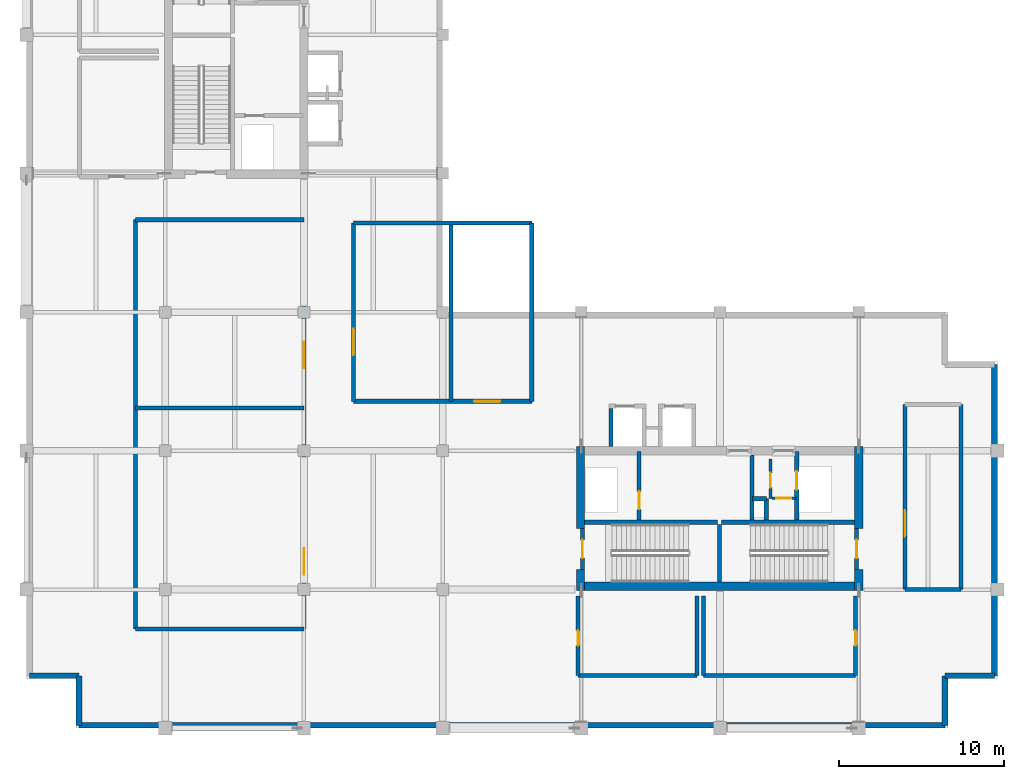
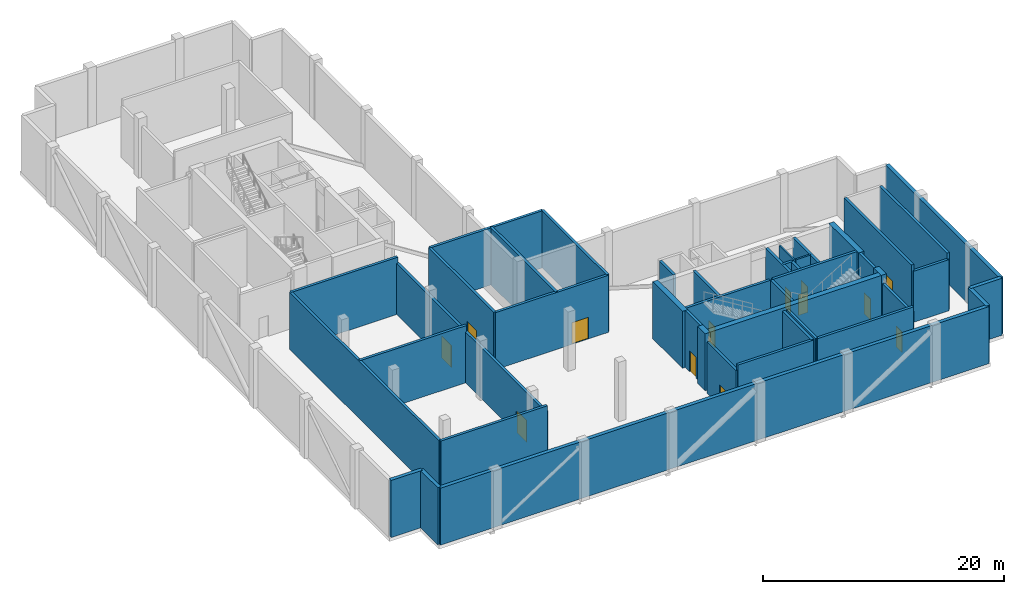
# One storey, part 9 of 14: 43 walls, 13 doors, 13 openings.
"""IFC4 building model written with IfcOpenShell, lengths in metres."""

from ifc_helpers import new_model, si_unit, direction, frame, frame_2d, origin, place, context, subcontext, project, spatial, rectangle, extrude, material, layer, layer_set, type_object, element, fill, save


model = new_model("IFC4")

# Units and contexts
model_context = context("Model", 3, precision=1e-05, world=origin(), true_north=direction((0.0, 1.0)))
body_context = subcontext(model_context, "Body", "Model", "MODEL_VIEW")
ifc_project = project(units=[si_unit("LENGTHUNIT", "METRE"), si_unit("AREAUNIT", "SQUARE_METRE"), si_unit("VOLUMEUNIT", "CUBIC_METRE"), si_unit("PLANEANGLEUNIT", "RADIAN"), si_unit("MASSUNIT", "GRAM", prefix="KILO")], contexts=[model_context])

# Site, building, storey
site_placement = place(None, origin())
site = spatial("IfcSite", under=ifc_project, at=site_placement, CompositionType="ELEMENT")
building_placement = place(site_placement, origin())
building = spatial("IfcBuilding", under=site, at=building_placement, Name="Koriwani Terraces Tower", CompositionType="ELEMENT")
storey_placement = place(building_placement, frame((0.0, 0.0, 294.800048828125)))
storey = spatial("IfcBuildingStorey", under=building, at=storey_placement, Name="L73", CompositionType="ELEMENT", Elevation=294.800048828125)

# Walls
ifc_material_1 = material(Name="Concrete C50/60", Category="concrete")
ifc_layer_1 = layer(ifc_material_1, 0.5, Name="Concrete C50/60")
ifc_layer_set_1 = layer_set([ifc_layer_1], Name="Concrete C50/60")
wall_type_1 = type_object("IfcWallType", Name="WALL_CORE_RC_500", PredefinedType="SHEAR", material=ifc_layer_set_1)
wall_1_placement = place(storey_placement, frame((41.949951171875, 16.75, 0.0), z_axis=(0.0, 0.0, 1.0), x_axis=(0.0, 1.0, 0.0)))
element("IfcWall", 1, at=wall_1_placement, inside=storey, type_object=wall_type_1, Name="L73 East Split Core Shear Wall W1", PredefinedType="SHEAR", context=body_context, shape_type="SweptSolid", body=[
    extrude(rectangle(XDim=1.25, YDim=0.5, at=frame_2d((0.625, 0.0))), origin(), (0.0, 0.0, 1.0), 5.77001953125),
])
wall_2_placement = place(storey_placement, frame((41.949951171875, 20.5, 0.0), z_axis=(0.0, 0.0, 1.0), x_axis=(0.0, 1.0, 0.0)))
element("IfcWall", 2, at=wall_2_placement, inside=storey, type_object=wall_type_1, Name="L73 East Split Core Shear Wall W2", PredefinedType="SHEAR", context=body_context, shape_type="SweptSolid", body=[
    extrude(rectangle(XDim=4.949951171875, YDim=0.5, at=frame_2d((2.47509765625, 0.0))), origin(), (0.0, 0.0, 1.0), 5.77001953125),
])
wall_3_placement = place(storey_placement, frame((58.800048828125, 16.75, 0.0), z_axis=(0.0, 0.0, 1.0), x_axis=(0.0, 1.0, 0.0)))
element("IfcWall", 3, at=wall_3_placement, inside=storey, type_object=wall_type_1, Name="L73 East Split Core Shear Wall E1", PredefinedType="SHEAR", context=body_context, shape_type="SweptSolid", body=[
    extrude(rectangle(XDim=1.25, YDim=0.5, at=frame_2d((0.625, 0.0))), origin(), (0.0, 0.0, 1.0), 5.77001953125),
])
wall_4_placement = place(storey_placement, frame((58.800048828125, 20.5, 0.0), z_axis=(0.0, 0.0, 1.0), x_axis=(0.0, 1.0, 0.0)))
element("IfcWall", 4, at=wall_4_placement, inside=storey, type_object=wall_type_1, Name="L73 East Split Core Shear Wall E2", PredefinedType="SHEAR", context=body_context, shape_type="SweptSolid", body=[
    extrude(rectangle(XDim=4.949951171875, YDim=0.5, at=frame_2d((2.47509765625, 0.0))), origin(), (0.0, 0.0, 1.0), 5.77001953125),
])
wall_5_placement = place(storey_placement, frame((42.199951171875, 17.0, 0.0), z_axis=(0.0, 0.0, 1.0), x_axis=(1.0, 0.0, 0.0)))
element("IfcWall", 5, at=wall_5_placement, inside=storey, type_object=wall_type_1, Name="L73 East Split Core Shear Wall S1", PredefinedType="SHEAR", context=body_context, shape_type="SweptSolid", body=[
    extrude(rectangle(XDim=16.35009765625, YDim=0.5, at=frame_2d((8.175048828125, 0.0))), origin(), (0.0, 0.0, 1.0), 5.77001953125),
])
ifc_layer_2 = layer(ifc_material_1, 0.35009765625, Name="Concrete C50/60")
ifc_layer_set_2 = layer_set([ifc_layer_2], Name="Concrete C50/60")
wall_type_2 = type_object("IfcWallType", Name="WALL_EXT_BRUTALIST_350", PredefinedType="STANDARD", material=ifc_layer_set_2)
for number, where, z_axis, x_axis, name in (
    (6, (11.574951171875, 8.574951171875, 0.0), (0.0, 0.0, 1.0), (0.0, 1.0, 0.0), "L73 Fair-Faced Brutalist Exterior Wall (N0)"),
    (7, (11.574951171875, 11.574951171875, 0.0), (0.0, 0.0, 1.0), (-1.0, 0.0, 0.0), "L73 Fair-Faced Brutalist Exterior Wall (N1)"),
):
    element("IfcWall", number, at=place(storey_placement, frame(where, z_axis=z_axis, x_axis=x_axis)), inside=storey, type_object=wall_type_2, Name=name, PredefinedType="STANDARD", context=body_context, shape_type="SweptSolid", body=[
        extrude(rectangle(XDim=3.0, YDim=0.35009765625, at=frame_2d((1.5, 0.0))), origin(), (0.0, 0.0, 1.0), 5.77001953125),
    ])
wall_6_placement = place(storey_placement, frame((67.02490234375, 30.425048828125, 0.0), z_axis=(0.0, 0.0, 1.0), x_axis=(0.0, -1.0, 0.0)))
element("IfcWall", 8, at=wall_6_placement, inside=storey, type_object=wall_type_2, Name="L73 Fair-Faced Brutalist Exterior Wall (E_TIP)", PredefinedType="STANDARD", context=body_context, shape_type="SweptSolid", body=[
    extrude(rectangle(XDim=18.85009765625, YDim=0.35009765625, at=frame_2d((9.425048828125, 0.0))), origin(), (0.0, 0.0, 1.0), 5.77001953125),
])
for number, where, z_axis, x_axis, name in (
    (9, (67.02490234375, 11.574951171875, 0.0), (0.0, 0.0, 1.0), (-1.0, 0.0, 0.0), "L73 Fair-Faced Brutalist Exterior Wall (N13)"),
    (10, (64.02490234375, 11.574951171875, 0.0), (0.0, 0.0, 1.0), (0.0, -1.0, 0.0), "L73 Fair-Faced Brutalist Exterior Wall (N14)"),
):
    element("IfcWall", number, at=place(storey_placement, frame(where, z_axis=z_axis, x_axis=x_axis)), inside=storey, type_object=wall_type_2, Name=name, PredefinedType="STANDARD", context=body_context, shape_type="SweptSolid", body=[
        extrude(rectangle(XDim=3.0, YDim=0.35009765625, at=frame_2d((1.5, 0.0))), origin(), (0.0, 0.0, 1.0), 5.77001953125),
    ])
wall_7_placement = place(storey_placement, frame((64.02490234375, 8.574951171875, 0.0), z_axis=(0.0, 0.0, 1.0), x_axis=(-1.0, 0.0, 0.0)))
element("IfcWall", 11, at=wall_7_placement, inside=storey, type_object=wall_type_2, Name="L73 Fair-Faced Brutalist Exterior Wall (S)", PredefinedType="STANDARD", context=body_context, shape_type="SweptSolid", body=[
    extrude(rectangle(XDim=52.449951171875, YDim=0.35009765625, at=frame_2d((26.22509765625, 0.0))), origin(), (0.0, 0.0, 1.0), 5.77001953125),
])
ifc_material_2 = material(Name="Concrete C40/50", Category="concrete")
ifc_layer_3 = layer(ifc_material_2, 0.25, Name="Concrete C40/50")
ifc_layer_set_3 = layer_set([ifc_layer_3], Name="Concrete C40/50")
wall_type_3 = type_object("IfcWallType", Name="WALL_SHAFT_RATED_250", PredefinedType="SOLIDWALL", material=ifc_layer_set_3)
for number, where, z_axis, x_axis, name in (
    (12, (42.199951171875, 20.875, 0.0), (0.0, 0.0, 1.0), (1.0, 0.0, 0.0), "L73 East Split Core Web Wall MID1"),
    (13, (50.5, 20.875, 0.0), (0.0, 0.0, 1.0), (1.0, 0.0, 0.0), "L73 East Split Core Web Wall MID2"),
):
    element("IfcWall", number, at=place(storey_placement, frame(where, z_axis=z_axis, x_axis=x_axis)), inside=storey, type_object=wall_type_3, Name=name, PredefinedType="SOLIDWALL", context=body_context, shape_type="SweptSolid", body=[
        extrude(rectangle(XDim=8.050048828125, YDim=0.25, at=frame_2d((4.02490234375, 0.0))), origin(), (0.0, 0.0, 1.0), 5.77001953125),
    ])
wall_8_placement = place(storey_placement, frame((50.375, 17.25, 0.0), z_axis=(0.0, 0.0, 1.0), x_axis=(0.0, 1.0, 0.0)))
element("IfcWall", 14, at=wall_8_placement, inside=storey, type_object=wall_type_3, Name="L73 East Split Core Stair Dividing Wall", PredefinedType="SOLIDWALL", context=body_context, shape_type="SweptSolid", body=[
    extrude(rectangle(XDim=3.5, YDim=0.25, at=frame_2d((1.75, 0.0))), origin(), (0.0, 0.0, 1.0), 5.77001953125),
])

# Wall, opening, door
wall_9_placement = place(storey_placement, frame((42.074951171875, 18.0, 0.0), z_axis=(0.0, 0.0, 1.0), x_axis=(0.0, 1.0, 0.0)))
wall_9 = element("IfcWall", 15, at=wall_9_placement, inside=storey, type_object=wall_type_3, Name="L73 Interior Wall WIN-CE-L73-STW", PredefinedType="SOLIDWALL", context=body_context, shape_type="SweptSolid", body=[
    extrude(rectangle(XDim=2.5, YDim=0.25, at=frame_2d((1.25, 0.0))), origin(), (0.0, 0.0, 1.0), 5.77001953125),
])
opening_1_placement = place(wall_9_placement, frame((0.699951171875, 0.0, 0.0)))
opening_1 = element("IfcOpeningElement", 16, at=opening_1_placement, cuts=wall_9, Name="Opening D-03", PredefinedType="OPENING", context=body_context, shape_type="SweptSolid", body=[
    extrude(rectangle(XDim=1.10009765625, YDim=2.14990234375, at=frame_2d((0.550048828125, 1.074951171875))), frame((0.0, 0.135009765625, 0.0), z_axis=(0.0, -1.0, 0.0), x_axis=(1.0, 0.0, 0.0)), (0.0, 0.0, 1.0), 0.27001953125),
])
ifc_material_3 = material(Name="Steel ASTM A572 Grade 50", Category="steel")
door_type_1 = type_object("IfcDoorType", Name="DOOR_STAIR_FIRE_1100X2150", OperationType="NOTDEFINED", PredefinedType="DOOR", material=ifc_material_3)
door_1_placement = place(opening_1_placement, origin())
door_1 = element("IfcDoor", 17, at=door_1_placement, inside=storey, type_object=door_type_1, Name="L73 Exit Stair ST-E1 Door", OperationType="SINGLE_SWING_LEFT", OverallHeight=2.14990234375, OverallWidth=1.10009765625, PredefinedType="DOOR", context=body_context, shape_type="SweptSolid", body=[
    extrude(rectangle(XDim=1.10009765625, YDim=2.14990234375, at=frame_2d((0.550048828125, 1.074951171875))), frame((0.0, 0.02490234375, 0.0), z_axis=(0.0, -1.0, 0.0), x_axis=(1.0, 0.0, 0.0)), (0.0, 0.0, 1.0), 0.050048828125),
])
fill(opening_1, door_1)

wall_10_placement = place(storey_placement, frame((58.675048828125, 18.0, 0.0), z_axis=(0.0, 0.0, 1.0), x_axis=(0.0, 1.0, 0.0)))
wall_10 = element("IfcWall", 18, at=wall_10_placement, inside=storey, type_object=wall_type_3, Name="L73 Interior Wall WIN-CE-L73-STE", PredefinedType="SOLIDWALL", context=body_context, shape_type="SweptSolid", body=[
    extrude(rectangle(XDim=2.5, YDim=0.25, at=frame_2d((1.25, 0.0))), origin(), (0.0, 0.0, 1.0), 5.77001953125),
])
opening_2_placement = place(wall_10_placement, frame((0.699951171875, 0.0, 0.0)))
opening_2 = element("IfcOpeningElement", 19, at=opening_2_placement, cuts=wall_10, Name="Opening D-03", PredefinedType="OPENING", context=body_context, shape_type="SweptSolid", body=[
    extrude(rectangle(XDim=1.10009765625, YDim=2.14990234375, at=frame_2d((0.550048828125, 1.074951171875))), frame((0.0, 0.135009765625, 0.0), z_axis=(0.0, -1.0, 0.0), x_axis=(1.0, 0.0, 0.0)), (0.0, 0.0, 1.0), 0.27001953125),
])
door_2_placement = place(opening_2_placement, origin())
door_2 = element("IfcDoor", 20, at=door_2_placement, inside=storey, type_object=door_type_1, Name="L73 Exit Stair ST-E2 Door", OperationType="SINGLE_SWING_RIGHT", OverallHeight=2.14990234375, OverallWidth=1.10009765625, PredefinedType="DOOR", context=body_context, shape_type="SweptSolid", body=[
    extrude(rectangle(XDim=1.10009765625, YDim=2.14990234375, at=frame_2d((0.550048828125, 1.074951171875))), frame((0.0, 0.02490234375, 0.0), z_axis=(0.0, -1.0, 0.0), x_axis=(1.0, 0.0, 0.0)), (0.0, 0.0, 1.0), 0.050048828125),
])
fill(opening_2, door_2)

wall_11_placement = place(storey_placement, frame((45.5, 21.0, 0.0), z_axis=(0.0, 0.0, 1.0), x_axis=(0.0, 1.0, 0.0)))
wall_11 = element("IfcWall", 21, at=wall_11_placement, inside=storey, type_object=wall_type_3, Name="L73 Interior Wall WIN-CE-L73-FE", PredefinedType="SOLIDWALL", context=body_context, shape_type="SweptSolid", body=[
    extrude(rectangle(XDim=4.14990234375, YDim=0.25, at=frame_2d((2.074951171875, 0.0))), origin(), (0.0, 0.0, 1.0), 5.77001953125),
])
opening_3_placement = place(wall_11_placement, frame((0.64990234375, 0.0, 0.0)))
opening_3 = element("IfcOpeningElement", 22, at=opening_3_placement, cuts=wall_11, Name="Opening LD-01", PredefinedType="OPENING", context=body_context, shape_type="SweptSolid", body=[
    extrude(rectangle(XDim=1.10009765625, YDim=2.14990234375, at=frame_2d((0.550048828125, 1.074951171875))), frame((0.0, 0.135009765625, 0.0), z_axis=(0.0, -1.0, 0.0), x_axis=(1.0, 0.0, 0.0)), (0.0, 0.0, 1.0), 0.27001953125),
])
door_type_2 = type_object("IfcDoorType", Name="DOOR_LIFT_LANDING_1100X2200", OperationType="NOTDEFINED", PredefinedType="DOOR", material=ifc_material_3)
door_3_placement = place(opening_3_placement, origin())
door_3 = element("IfcDoor", 23, at=door_3_placement, inside=storey, type_object=door_type_2, Name="L73 Firefighting Lift FE-02 Landing Door", OperationType="SLIDING_TO_LEFT", OverallHeight=2.14990234375, OverallWidth=1.10009765625, PredefinedType="DOOR", context=body_context, shape_type="SweptSolid", body=[
    extrude(rectangle(XDim=1.10009765625, YDim=2.14990234375, at=frame_2d((0.550048828125, 1.074951171875))), frame((0.0, 0.02490234375, 0.0), z_axis=(0.0, -1.0, 0.0), x_axis=(1.0, 0.0, 0.0)), (0.0, 0.0, 1.0), 0.050048828125),
])
fill(opening_3, door_3)

# Wall
wall_12_placement = place(storey_placement, frame((52.340087890625, 21.0, 0.0), z_axis=(0.0, 0.0, 1.0), x_axis=(0.0, 1.0, 0.0)))
element("IfcWall", 24, at=wall_12_placement, inside=storey, type_object=wall_type_3, Name="L73 Interior Wall WIN-CE-L73-FFE", PredefinedType="SOLIDWALL", context=body_context, shape_type="SweptSolid", body=[
    extrude(rectangle(XDim=3.949951171875, YDim=0.25, at=frame_2d((1.97509765625, 0.0))), origin(), (0.0, 0.0, 1.0), 5.77001953125),
])

# Wall, opening, door
wall_13_placement = place(storey_placement, frame((55.050048828125, 21.0, 0.0), z_axis=(0.0, 0.0, 1.0), x_axis=(0.0, 1.0, 0.0)))
wall_13 = element("IfcWall", 25, at=wall_13_placement, inside=storey, type_object=wall_type_3, Name="L73 Interior Wall WIN-CE-L73-SE", PredefinedType="SOLIDWALL", context=body_context, shape_type="SweptSolid", body=[
    extrude(rectangle(XDim=4.14990234375, YDim=0.25, at=frame_2d((2.074951171875, 0.0))), origin(), (0.0, 0.0, 1.0), 5.77001953125),
])
opening_4_placement = place(wall_13_placement, frame((1.85009765625, 0.0, 0.0)))
opening_4 = element("IfcOpeningElement", 26, at=opening_4_placement, cuts=wall_13, Name="Opening LD-01", PredefinedType="OPENING", context=body_context, shape_type="SweptSolid", body=[
    extrude(rectangle(XDim=1.10009765625, YDim=2.14990234375, at=frame_2d((0.550048828125, 1.074951171875))), frame((0.0, 0.135009765625, 0.0), z_axis=(0.0, -1.0, 0.0), x_axis=(1.0, 0.0, 0.0)), (0.0, 0.0, 1.0), 0.27001953125),
])
door_4_placement = place(opening_4_placement, origin())
door_4 = element("IfcDoor", 27, at=door_4_placement, inside=storey, type_object=door_type_2, Name="L73 Goods Lift SE-02 Landing Door", OperationType="SLIDING_TO_LEFT", OverallHeight=2.14990234375, OverallWidth=1.10009765625, PredefinedType="DOOR", context=body_context, shape_type="SweptSolid", body=[
    extrude(rectangle(XDim=1.10009765625, YDim=2.14990234375, at=frame_2d((0.550048828125, 1.074951171875))), frame((0.0, 0.02490234375, 0.0), z_axis=(0.0, -1.0, 0.0), x_axis=(1.0, 0.0, 0.0)), (0.0, 0.0, 1.0), 0.050048828125),
])
fill(opening_4, door_4)

# Walls
wall_14_placement = place(storey_placement, frame((53.199951171875, 21.0, 0.0), z_axis=(0.0, 0.0, 1.0), x_axis=(0.0, 1.0, 0.0)))
element("IfcWall", 28, at=wall_14_placement, inside=storey, type_object=wall_type_3, Name="L73 Interior Wall WIN-CE-L73-RS1", PredefinedType="SOLIDWALL", context=body_context, shape_type="SweptSolid", body=[
    extrude(rectangle(XDim=1.300048828125, YDim=0.25, at=frame_2d((0.64990234375, 0.0))), origin(), (0.0, 0.0, 1.0), 5.77001953125),
])
wall_15_placement = place(storey_placement, frame((52.360107421875, 22.300048828125, 0.0), z_axis=(0.0, 0.0, 1.0), x_axis=(1.0, 0.0, 0.0)))
element("IfcWall", 29, at=wall_15_placement, inside=storey, type_object=wall_type_3, Name="L73 Interior Wall WIN-CE-L73-RS2", PredefinedType="SOLIDWALL", context=body_context, shape_type="SweptSolid", body=[
    extrude(rectangle(XDim=0.83984375, YDim=0.25, at=frame_2d((0.419921875, 0.0))), origin(), (0.0, 0.0, 1.0), 5.77001953125),
])
wall_16_placement = place(storey_placement, frame((43.800048828125, 25.449951171875, 0.0), z_axis=(0.0, 0.0, 1.0), x_axis=(0.0, 1.0, 0.0)))
element("IfcWall", 30, at=wall_16_placement, inside=storey, type_object=wall_type_3, Name="L73 Interior Wall WIN-LF-PE-H3-L73-W", PredefinedType="SOLIDWALL", context=body_context, shape_type="SweptSolid", body=[
    extrude(rectangle(XDim=2.324951171875, YDim=0.25, at=frame_2d((1.16259765625, 0.0))), origin(), (0.0, 0.0, 1.0), 5.77001953125),
])

# Wall, opening, door
wall_17_placement = place(storey_placement, frame((61.60009765625, 16.800048828125, 0.0), z_axis=(0.0, 0.0, 1.0), x_axis=(0.0, 1.0, 0.0)))
wall_17 = element("IfcWall", 31, at=wall_17_placement, inside=storey, type_object=wall_type_3, Name="L73 Interior Wall WREF-E1-L73", PredefinedType="SOLIDWALL", context=body_context, shape_type="SweptSolid", body=[
    extrude(rectangle(XDim=11.199951171875, YDim=0.25, at=frame_2d((5.60009765625, 0.0))), origin(), (0.0, 0.0, 1.0), 5.77001953125),
])
opening_5_placement = place(wall_17_placement, frame((3.199951171875, 0.0, 0.0)))
opening_5 = element("IfcOpeningElement", 32, at=opening_5_placement, cuts=wall_17, Name="Opening D-08", PredefinedType="OPENING", context=body_context, shape_type="SweptSolid", body=[
    extrude(rectangle(XDim=1.60009765625, YDim=2.199951171875, at=frame_2d((0.800048828125, 1.10009765625))), frame((0.0, 0.135009765625, 0.0), z_axis=(0.0, -1.0, 0.0), x_axis=(1.0, 0.0, 0.0)), (0.0, 0.0, 1.0), 0.27001953125),
])
door_type_3 = type_object("IfcDoorType", Name="DOOR_PLANT_DOUBLE_1600X2200", OperationType="NOTDEFINED", PredefinedType="DOOR", material=ifc_material_3)
door_5_placement = place(opening_5_placement, origin())
door_5 = element("IfcDoor", 33, at=door_5_placement, inside=storey, type_object=door_type_3, Name="L73 East Fire Refuge Area Door", OperationType="SINGLE_SWING_RIGHT", OverallHeight=2.199951171875, OverallWidth=1.60009765625, PredefinedType="DOOR", context=body_context, shape_type="SweptSolid", body=[
    extrude(rectangle(XDim=1.60009765625, YDim=2.199951171875, at=frame_2d((0.800048828125, 1.10009765625))), frame((0.0, 0.02490234375, 0.0), z_axis=(0.0, -1.0, 0.0), x_axis=(1.0, 0.0, 0.0)), (0.0, 0.0, 1.0), 0.050048828125),
])
fill(opening_5, door_5)

# Walls
wall_18_placement = place(storey_placement, frame((65.0, 16.800048828125, 0.0), z_axis=(0.0, 0.0, 1.0), x_axis=(0.0, 1.0, 0.0)))
element("IfcWall", 34, at=wall_18_placement, inside=storey, type_object=wall_type_3, Name="L73 Interior Wall WREF-E2-L73", PredefinedType="SOLIDWALL", context=body_context, shape_type="SweptSolid", body=[
    extrude(rectangle(XDim=11.199951171875, YDim=0.25, at=frame_2d((5.60009765625, 0.0))), origin(), (0.0, 0.0, 1.0), 5.77001953125),
])
wall_19_placement = place(storey_placement, frame((61.60009765625, 16.800048828125, 0.0), z_axis=(0.0, 0.0, 1.0), x_axis=(1.0, 0.0, 0.0)))
element("IfcWall", 35, at=wall_19_placement, inside=storey, type_object=wall_type_3, Name="L73 Interior Wall WREF-E3-L73", PredefinedType="SOLIDWALL", context=body_context, shape_type="SweptSolid", body=[
    extrude(rectangle(XDim=3.39990234375, YDim=0.25, at=frame_2d((1.699951171875, 0.0))), origin(), (0.0, 0.0, 1.0), 5.169921875),
])

# Wall, openings, doors
wall_20_placement = place(storey_placement, frame((25.199951171875, 14.39990234375, 0.0), z_axis=(0.0, 0.0, 1.0), x_axis=(0.0, 1.0, 0.0)))
wall_20 = element("IfcWall", 36, at=wall_20_placement, inside=storey, type_object=wall_type_3, Name="L73 Interior Wall WPL-L73-E", PredefinedType="SOLIDWALL", context=body_context, shape_type="SweptSolid", body=[
    extrude(rectangle(XDim=24.800048828125, YDim=0.25, at=frame_2d((12.39990234375, 0.0))), origin(), (0.0, 0.0, 1.0), 5.15283203125),
])
opening_6_placement = place(wall_20_placement, frame((3.300048828125, 0.0, 0.0)))
opening_6 = element("IfcOpeningElement", 37, at=opening_6_placement, cuts=wall_20, Name="Opening D-08", PredefinedType="OPENING", context=body_context, shape_type="SweptSolid", body=[
    extrude(rectangle(XDim=1.60009765625, YDim=2.199951171875, at=frame_2d((0.800048828125, 1.10009765625))), frame((0.0, 0.135009765625, 0.0), z_axis=(0.0, -1.0, 0.0), x_axis=(1.0, 0.0, 0.0)), (0.0, 0.0, 1.0), 0.27001953125),
])
opening_7_placement = place(wall_20_placement, frame((15.800048828125, 0.0, 0.0)))
opening_7 = element("IfcOpeningElement", 38, at=opening_7_placement, cuts=wall_20, Name="Opening D-08", PredefinedType="OPENING", context=body_context, shape_type="SweptSolid", body=[
    extrude(rectangle(XDim=1.60009765625, YDim=2.199951171875, at=frame_2d((0.800048828125, 1.10009765625))), frame((0.0, 0.135009765625, 0.0), z_axis=(0.0, -1.0, 0.0), x_axis=(1.0, 0.0, 0.0)), (0.0, 0.0, 1.0), 0.27001953125),
])
door_6_placement = place(opening_6_placement, origin())
door_6 = element("IfcDoor", 39, at=door_6_placement, inside=storey, type_object=door_type_3, Name="L73 Chiller Plant Room Door", OperationType="SINGLE_SWING_LEFT", OverallHeight=2.199951171875, OverallWidth=1.60009765625, PredefinedType="DOOR", context=body_context, shape_type="SweptSolid", body=[
    extrude(rectangle(XDim=1.60009765625, YDim=2.199951171875, at=frame_2d((0.800048828125, 1.10009765625))), frame((0.0, 0.02490234375, 0.0), z_axis=(0.0, -1.0, 0.0), x_axis=(1.0, 0.0, 0.0)), (0.0, 0.0, 1.0), 0.050048828125),
])
fill(opening_6, door_6)
door_7_placement = place(opening_7_placement, origin())
door_7 = element("IfcDoor", 40, at=door_7_placement, inside=storey, type_object=door_type_3, Name="L73 AHU Fan Room Door", OperationType="SINGLE_SWING_RIGHT", OverallHeight=2.199951171875, OverallWidth=1.60009765625, PredefinedType="DOOR", context=body_context, shape_type="SweptSolid", body=[
    extrude(rectangle(XDim=1.60009765625, YDim=2.199951171875, at=frame_2d((0.800048828125, 1.10009765625))), frame((0.0, 0.02490234375, 0.0), z_axis=(0.0, -1.0, 0.0), x_axis=(1.0, 0.0, 0.0)), (0.0, 0.0, 1.0), 0.050048828125),
])
fill(opening_7, door_7)

# Walls
wall_21_placement = place(storey_placement, frame((15.0, 14.39990234375, 0.0), z_axis=(0.0, 0.0, 1.0), x_axis=(0.0, 1.0, 0.0)))
element("IfcWall", 41, at=wall_21_placement, inside=storey, type_object=wall_type_3, Name="L73 Interior Wall WPL-L73-W", PredefinedType="SOLIDWALL", context=body_context, shape_type="SweptSolid", body=[
    extrude(rectangle(XDim=24.800048828125, YDim=0.25, at=frame_2d((12.39990234375, 0.0))), origin(), (0.0, 0.0, 1.0), 5.77001953125),
])
for number, where, z_axis, x_axis, name in (
    (42, (15.0, 14.39990234375, 0.0), (0.0, 0.0, 1.0), (1.0, 0.0, 0.0), "L73 Interior Wall WPL-L73-S"),
    (43, (15.0, 39.199951171875, 0.0), (0.0, 0.0, 1.0), (1.0, 0.0, 0.0), "L73 Interior Wall WPL-L73-N"),
    (44, (15.0, 27.800048828125, 0.0), (0.0, 0.0, 1.0), (1.0, 0.0, 0.0), "L73 Interior Wall WPL-L73-M"),
):
    element("IfcWall", number, at=place(storey_placement, frame(where, z_axis=z_axis, x_axis=x_axis)), inside=storey, type_object=wall_type_3, Name=name, PredefinedType="SOLIDWALL", context=body_context, shape_type="SweptSolid", body=[
        extrude(rectangle(XDim=10.199951171875, YDim=0.25, at=frame_2d((5.10009765625, 0.0))), origin(), (0.0, 0.0, 1.0), 5.77001953125),
    ])

# Wall, opening, door
wall_22_placement = place(storey_placement, frame((28.199951171875, 28.199951171875, 0.0), z_axis=(0.0, 0.0, 1.0), x_axis=(0.0, 1.0, 0.0)))
wall_22 = element("IfcWall", 45, at=wall_22_placement, inside=storey, type_object=wall_type_3, Name="L73 Interior Wall WPL2-L73-W", PredefinedType="SOLIDWALL", context=body_context, shape_type="SweptSolid", body=[
    extrude(rectangle(XDim=10.800048828125, YDim=0.25, at=frame_2d((5.39990234375, 0.0))), origin(), (0.0, 0.0, 1.0), 5.77001953125),
])
opening_8_placement = place(wall_22_placement, frame((2.800048828125, 0.0, 0.0)))
opening_8 = element("IfcOpeningElement", 46, at=opening_8_placement, cuts=wall_22, Name="Opening D-08", PredefinedType="OPENING", context=body_context, shape_type="SweptSolid", body=[
    extrude(rectangle(XDim=1.60009765625, YDim=2.199951171875, at=frame_2d((0.800048828125, 1.10009765625))), frame((0.0, 0.135009765625, 0.0), z_axis=(0.0, -1.0, 0.0), x_axis=(1.0, 0.0, 0.0)), (0.0, 0.0, 1.0), 0.27001953125),
])
door_8_placement = place(opening_8_placement, origin())
door_8 = element("IfcDoor", 47, at=door_8_placement, inside=storey, type_object=door_type_3, Name="L73 Booster Pump and Tank Room Door", OperationType="SINGLE_SWING_LEFT", OverallHeight=2.199951171875, OverallWidth=1.60009765625, PredefinedType="DOOR", context=body_context, shape_type="SweptSolid", body=[
    extrude(rectangle(XDim=1.60009765625, YDim=2.199951171875, at=frame_2d((0.800048828125, 1.10009765625))), frame((0.0, 0.02490234375, 0.0), z_axis=(0.0, -1.0, 0.0), x_axis=(1.0, 0.0, 0.0)), (0.0, 0.0, 1.0), 0.050048828125),
])
fill(opening_8, door_8)

wall_23_placement = place(storey_placement, frame((28.199951171875, 28.199951171875, 0.0), z_axis=(0.0, 0.0, 1.0), x_axis=(1.0, 0.0, 0.0)))
wall_23 = element("IfcWall", 48, at=wall_23_placement, inside=storey, type_object=wall_type_3, Name="L73 Interior Wall WPL2-L73-S", PredefinedType="SOLIDWALL", context=body_context, shape_type="SweptSolid", body=[
    extrude(rectangle(XDim=10.800048828125, YDim=0.25, at=frame_2d((5.39990234375, 0.0))), origin(), (0.0, 0.0, 1.0), 5.77001953125),
])
opening_9_placement = place(wall_23_placement, frame((7.300048828125, 0.0, 0.0)))
opening_9 = element("IfcOpeningElement", 49, at=opening_9_placement, cuts=wall_23, Name="Opening D-08", PredefinedType="OPENING", context=body_context, shape_type="SweptSolid", body=[
    extrude(rectangle(XDim=1.60009765625, YDim=2.199951171875, at=frame_2d((0.800048828125, 1.10009765625))), frame((0.0, 0.135009765625, 0.0), z_axis=(0.0, -1.0, 0.0), x_axis=(1.0, 0.0, 0.0)), (0.0, 0.0, 1.0), 0.27001953125),
])
door_9_placement = place(opening_9_placement, origin())
door_9 = element("IfcDoor", 50, at=door_9_placement, inside=storey, type_object=door_type_3, Name="L73 Electrical Transformer Room Door", OperationType="SINGLE_SWING_RIGHT", OverallHeight=2.199951171875, OverallWidth=1.60009765625, PredefinedType="DOOR", context=body_context, shape_type="SweptSolid", body=[
    extrude(rectangle(XDim=1.60009765625, YDim=2.199951171875, at=frame_2d((0.800048828125, 1.10009765625))), frame((0.0, 0.02490234375, 0.0), z_axis=(0.0, -1.0, 0.0), x_axis=(1.0, 0.0, 0.0)), (0.0, 0.0, 1.0), 0.050048828125),
])
fill(opening_9, door_9)

# Walls
for number, where, z_axis, x_axis, name in (
    (51, (39.0, 28.199951171875, 0.0), (0.0, 0.0, 1.0), (0.0, 1.0, 0.0), "L73 Interior Wall WPL2-L73-E"),
    (52, (28.199951171875, 39.0, 0.0), (0.0, 0.0, 1.0), (1.0, 0.0, 0.0), "L73 Interior Wall WPL2-L73-N"),
    (53, (34.10009765625, 28.199951171875, 0.0), (0.0, 0.0, 1.0), (0.0, 1.0, 0.0), "L73 Interior Wall WPL2-L73-M"),
):
    element("IfcWall", number, at=place(storey_placement, frame(where, z_axis=z_axis, x_axis=x_axis)), inside=storey, type_object=wall_type_3, Name=name, PredefinedType="SOLIDWALL", context=body_context, shape_type="SweptSolid", body=[
        extrude(rectangle(XDim=10.800048828125, YDim=0.25, at=frame_2d((5.39990234375, 0.0))), origin(), (0.0, 0.0, 1.0), 5.77001953125),
    ])

# Wall, opening, door
wall_24_placement = place(storey_placement, frame((41.800048828125, 11.60009765625, 0.0), z_axis=(0.0, 0.0, 1.0), x_axis=(0.0, 1.0, 0.0)))
wall_24 = element("IfcWall", 54, at=wall_24_placement, inside=storey, type_object=wall_type_3, Name="L73 Interior Wall WPL-RECE1-L73", PredefinedType="SOLIDWALL", context=body_context, shape_type="SweptSolid", body=[
    extrude(rectangle(XDim=4.7998046875, YDim=0.25, at=frame_2d((2.39990234375, 0.0))), origin(), (0.0, 0.0, 1.0), 5.169921875),
])
opening_10_placement = place(wall_24_placement, frame((1.800048828125, 0.0, 0.0)))
opening_10 = element("IfcOpeningElement", 55, at=opening_10_placement, cuts=wall_24, Name="Opening D-06", PredefinedType="OPENING", context=body_context, shape_type="SweptSolid", body=[
    extrude(rectangle(XDim=0.919921875, YDim=2.10009765625, at=frame_2d((0.4599609375, 1.050048828125))), frame((0.0, 0.135009765625, 0.0), z_axis=(0.0, -1.0, 0.0), x_axis=(1.0, 0.0, 0.0)), (0.0, 0.0, 1.0), 0.27001953125),
])
ifc_material_4 = material(Name="Architectural Oak Fire Door", Category="wood")
door_type_4 = type_object("IfcDoorType", Name="DOOR_ROOM_INT_920X2100", OperationType="NOTDEFINED", PredefinedType="DOOR", material=ifc_material_4)
door_10_placement = place(opening_10_placement, origin())
door_10 = element("IfcDoor", 56, at=door_10_placement, inside=storey, type_object=door_type_4, Name="L73 Reclaimed East Telemetry Room Door", OperationType="SINGLE_SWING_RIGHT", OverallHeight=2.10009765625, OverallWidth=0.919921875, PredefinedType="DOOR", context=body_context, shape_type="SweptSolid", body=[
    extrude(rectangle(XDim=0.919921875, YDim=2.10009765625, at=frame_2d((0.4599609375, 1.050048828125))), frame((0.0, 0.02490234375, 0.0), z_axis=(0.0, -1.0, 0.0), x_axis=(1.0, 0.0, 0.0)), (0.0, 0.0, 1.0), 0.050048828125),
])
fill(opening_10, door_10)

# Walls
wall_25_placement = place(storey_placement, frame((41.800048828125, 11.60009765625, 0.0), z_axis=(0.0, 0.0, 1.0), x_axis=(1.0, 0.0, 0.0)))
element("IfcWall", 57, at=wall_25_placement, inside=storey, type_object=wall_type_3, Name="L73 Interior Wall WPL-RECE2-L73", PredefinedType="SOLIDWALL", context=body_context, shape_type="SweptSolid", body=[
    extrude(rectangle(XDim=7.199951171875, YDim=0.25, at=frame_2d((3.60009765625, 0.0))), origin(), (0.0, 0.0, 1.0), 5.77001953125),
])
wall_26_placement = place(storey_placement, frame((49.0, 11.60009765625, 0.0), z_axis=(0.0, 0.0, 1.0), x_axis=(0.0, 1.0, 0.0)))
element("IfcWall", 58, at=wall_26_placement, inside=storey, type_object=wall_type_3, Name="L73 Interior Wall WPL-RECE3-L73", PredefinedType="SOLIDWALL", context=body_context, shape_type="SweptSolid", body=[
    extrude(rectangle(XDim=4.7998046875, YDim=0.25, at=frame_2d((2.39990234375, 0.0))), origin(), (0.0, 0.0, 1.0), 5.77001953125),
])

# Wall, opening, door
wall_27_placement = place(storey_placement, frame((58.60009765625, 11.60009765625, 0.0), z_axis=(0.0, 0.0, 1.0), x_axis=(0.0, 1.0, 0.0)))
wall_27 = element("IfcWall", 59, at=wall_27_placement, inside=storey, type_object=wall_type_3, Name="L73 Interior Wall WPL-RECME1-L73", PredefinedType="SOLIDWALL", context=body_context, shape_type="SweptSolid", body=[
    extrude(rectangle(XDim=4.7998046875, YDim=0.25, at=frame_2d((2.39990234375, 0.0))), origin(), (0.0, 0.0, 1.0), 5.169921875),
])
opening_11_placement = place(wall_27_placement, frame((1.800048828125, 0.0, 0.0)))
opening_11 = element("IfcOpeningElement", 60, at=opening_11_placement, cuts=wall_27, Name="Opening D-06", PredefinedType="OPENING", context=body_context, shape_type="SweptSolid", body=[
    extrude(rectangle(XDim=0.919921875, YDim=2.10009765625, at=frame_2d((0.4599609375, 1.050048828125))), frame((0.0, 0.135009765625, 0.0), z_axis=(0.0, -1.0, 0.0), x_axis=(1.0, 0.0, 0.0)), (0.0, 0.0, 1.0), 0.27001953125),
])
door_11_placement = place(opening_11_placement, origin())
door_11 = element("IfcDoor", 61, at=door_11_placement, inside=storey, type_object=door_type_4, Name="L73 East Upper Controls Door", OperationType="SINGLE_SWING_RIGHT", OverallHeight=2.10009765625, OverallWidth=0.919921875, PredefinedType="DOOR", context=body_context, shape_type="SweptSolid", body=[
    extrude(rectangle(XDim=0.919921875, YDim=2.10009765625, at=frame_2d((0.4599609375, 1.050048828125))), frame((0.0, 0.02490234375, 0.0), z_axis=(0.0, -1.0, 0.0), x_axis=(1.0, 0.0, 0.0)), (0.0, 0.0, 1.0), 0.050048828125),
])
fill(opening_11, door_11)

# Walls
wall_28_placement = place(storey_placement, frame((49.39990234375, 11.60009765625, 0.0), z_axis=(0.0, 0.0, 1.0), x_axis=(1.0, 0.0, 0.0)))
element("IfcWall", 62, at=wall_28_placement, inside=storey, type_object=wall_type_3, Name="L73 Interior Wall WPL-RECME2-L73", PredefinedType="SOLIDWALL", context=body_context, shape_type="SweptSolid", body=[
    extrude(rectangle(XDim=9.2001953125, YDim=0.25, at=frame_2d((4.60009765625, 0.0))), origin(), (0.0, 0.0, 1.0), 5.77001953125),
])
wall_29_placement = place(storey_placement, frame((49.39990234375, 11.60009765625, 0.0), z_axis=(0.0, 0.0, 1.0), x_axis=(0.0, 1.0, 0.0)))
element("IfcWall", 63, at=wall_29_placement, inside=storey, type_object=wall_type_3, Name="L73 Interior Wall WPL-RECME3-L73", PredefinedType="SOLIDWALL", context=body_context, shape_type="SweptSolid", body=[
    extrude(rectangle(XDim=4.7998046875, YDim=0.25, at=frame_2d((2.39990234375, 0.0))), origin(), (0.0, 0.0, 1.0), 5.77001953125),
])

# Wall, opening, door
ifc_material_5 = material(Name="Fire-Rated Acoustic Gypsum Partition", Category="masonry")
ifc_layer_4 = layer(ifc_material_5, 0.159912109375, Name="Fire-Rated Acoustic Gypsum Partition")
ifc_layer_set_4 = layer_set([ifc_layer_4], Name="Fire-Rated Acoustic Gypsum Partition")
wall_type_4 = type_object("IfcWallType", Name="WALL_SUITE_160", PredefinedType="PARTITIONING", material=ifc_layer_set_4)
wall_30_placement = place(storey_placement, frame((53.56005859375, 22.320068359375, 0.0), z_axis=(0.0, 0.0, 1.0), x_axis=(1.0, 0.0, 0.0)))
wall_30 = element("IfcWall", 64, at=wall_30_placement, inside=storey, type_object=wall_type_4, Name="L73 Interior Wall WIN-CE-L73-SV1A", PredefinedType="PARTITIONING", context=body_context, shape_type="SweptSolid", body=[
    extrude(rectangle(XDim=1.43994140625, YDim=0.159912109375, at=frame_2d((0.719970703125, 0.0))), origin(), (0.0, 0.0, 1.0), 5.77001953125),
])
opening_12_placement = place(wall_30_placement, frame((0.260009765625, 0.0, 0.0)))
opening_12 = element("IfcOpeningElement", 65, at=opening_12_placement, cuts=wall_30, Name="Opening D-07", PredefinedType="OPENING", context=body_context, shape_type="SweptSolid", body=[
    extrude(rectangle(XDim=0.89990234375, YDim=2.10009765625, at=frame_2d((0.449951171875, 1.050048828125))), frame((0.0, 0.08984375, 0.0), z_axis=(0.0, -1.0, 0.0), x_axis=(1.0, 0.0, 0.0)), (0.0, 0.0, 1.0), 0.179931640625),
])
door_type_5 = type_object("IfcDoorType", Name="DOOR_BATH_INT_900X2100", OperationType="NOTDEFINED", PredefinedType="DOOR", material=ifc_material_4)
door_12_placement = place(opening_12_placement, origin())
door_12 = element("IfcDoor", 66, at=door_12_placement, inside=storey, type_object=door_type_5, Name="L73 East Telecom Room Door", OperationType="SINGLE_SWING_LEFT", OverallHeight=2.10009765625, OverallWidth=0.89990234375, PredefinedType="DOOR", context=body_context, shape_type="SweptSolid", body=[
    extrude(rectangle(XDim=0.89990234375, YDim=2.10009765625, at=frame_2d((0.449951171875, 1.050048828125))), frame((0.0, 0.02490234375, 0.0), z_axis=(0.0, -1.0, 0.0), x_axis=(1.0, 0.0, 0.0)), (0.0, 0.0, 1.0), 0.050048828125),
])
fill(opening_12, door_12)

wall_31_placement = place(storey_placement, frame((53.4599609375, 22.320068359375, 0.0), z_axis=(0.0, 0.0, 1.0), x_axis=(0.0, 1.0, 0.0)))
wall_31 = element("IfcWall", 67, at=wall_31_placement, inside=storey, type_object=wall_type_4, Name="L73 Interior Wall WIN-CE-L73-SV1B", PredefinedType="PARTITIONING", context=body_context, shape_type="SweptSolid", body=[
    extrude(rectangle(XDim=2.39990234375, YDim=0.159912109375, at=frame_2d((1.199951171875, 0.0))), origin(), (0.0, 0.0, 1.0), 5.77001953125),
])
opening_13_placement = place(wall_31_placement, frame((0.64990234375, 0.0, 0.0)))
opening_13 = element("IfcOpeningElement", 68, at=opening_13_placement, cuts=wall_31, Name="Opening D-07", PredefinedType="OPENING", context=body_context, shape_type="SweptSolid", body=[
    extrude(rectangle(XDim=0.89990234375, YDim=2.10009765625, at=frame_2d((0.449951171875, 1.050048828125))), frame((0.0, 0.08984375, 0.0), z_axis=(0.0, -1.0, 0.0), x_axis=(1.0, 0.0, 0.0)), (0.0, 0.0, 1.0), 0.179931640625),
])
door_13_placement = place(opening_13_placement, origin())
door_13 = element("IfcDoor", 69, at=door_13_placement, inside=storey, type_object=door_type_5, Name="L73 East Cleaners Closet Door", OperationType="SINGLE_SWING_RIGHT", OverallHeight=2.10009765625, OverallWidth=0.89990234375, PredefinedType="DOOR", context=body_context, shape_type="SweptSolid", body=[
    extrude(rectangle(XDim=0.89990234375, YDim=2.10009765625, at=frame_2d((0.449951171875, 1.050048828125))), frame((0.0, 0.02490234375, 0.0), z_axis=(0.0, -1.0, 0.0), x_axis=(1.0, 0.0, 0.0)), (0.0, 0.0, 1.0), 0.050048828125),
])
fill(opening_13, door_13)

save(model, "model.ifc")
